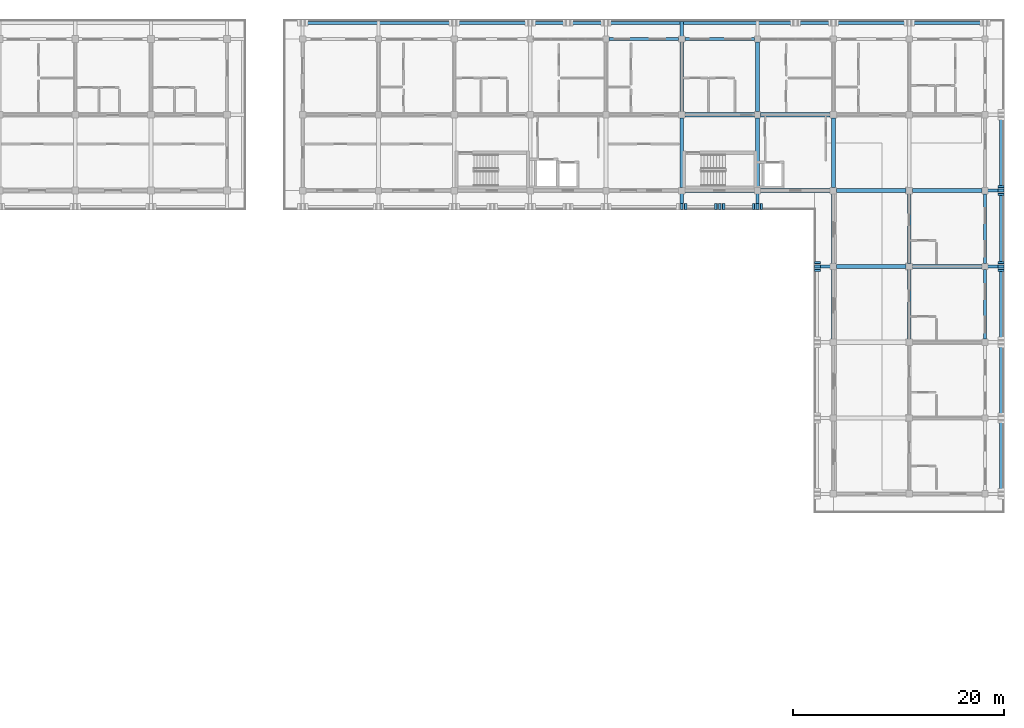
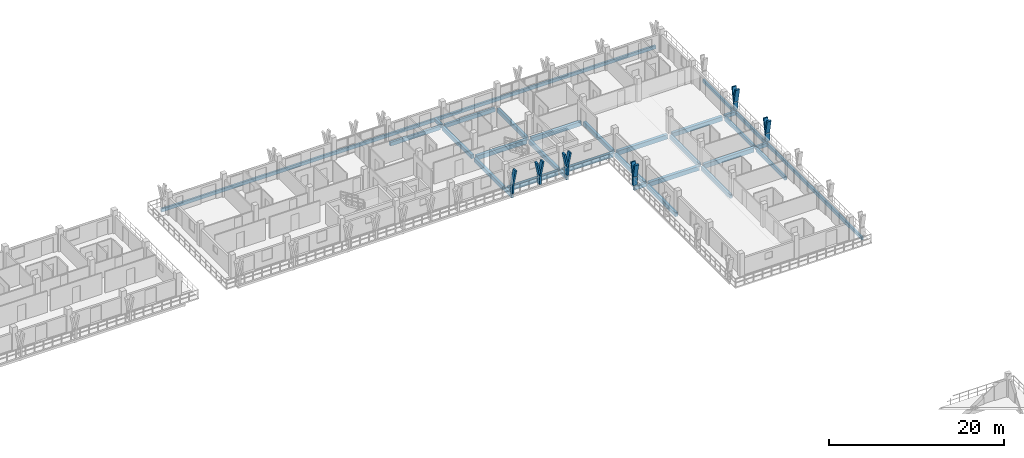
# One storey, part 32 of 78: 29 beams, 17 members.
"""IFC4 building model written with IfcOpenShell, lengths in metres."""

from ifc_helpers import new_model, si_unit, direction, frame, origin, origin_2d, place, context, subcontext, project, spatial, rectangle, extrude, material, material_profile, profile_set, type_object, element, save


model = new_model("IFC4")

# Units and contexts
model_context = context("Model", 3, precision=1e-05, world=origin(), true_north=direction((0.0, 1.0)))
body_context = subcontext(model_context, "Body", "Model", "MODEL_VIEW")
ifc_project = project(units=[si_unit("LENGTHUNIT", "METRE"), si_unit("AREAUNIT", "SQUARE_METRE"), si_unit("VOLUMEUNIT", "CUBIC_METRE"), si_unit("PLANEANGLEUNIT", "RADIAN"), si_unit("MASSUNIT", "GRAM", prefix="KILO")], contexts=[model_context])

# Site, building, storey
site_placement = place(None, origin())
site = spatial("IfcSite", under=ifc_project, at=site_placement, CompositionType="ELEMENT")
building_placement = place(site_placement, origin())
building = spatial("IfcBuilding", under=site, at=building_placement, Name="Suanplinth Sawtooth Commons", CompositionType="ELEMENT")
storey_placement = place(building_placement, frame((0.0, 0.0, 15.39990234375)))
storey = spatial("IfcBuildingStorey", under=building, at=storey_placement, Name="L04", CompositionType="ELEMENT", Elevation=15.39990234375)

# Beams
ifc_material_1 = material(Name="Precast concrete C40/50", Category="concrete")
ifc_material_profile_1 = material_profile(ifc_material_1, rectangle(XDim=0.39990234375, YDim=0.60009765625, at=origin_2d()), Name="PC-GDR 400x600")
ifc_profile_set_1 = profile_set([ifc_material_profile_1], Name="Precast concrete C40/50")
beam_type_1 = type_object("IfcBeamType", Name="B-05", PredefinedType="USERDEFINED", material=ifc_profile_set_1)
for number, where, z_axis, x_axis, name in (
    (1, (158.699951171875, 108.0, -0.52001953125), (1.0, 0.0, 0.0), (0.0, 1.0, 0.0), "BMX-L04-B-22-15"),
    (2, (158.699951171875, 115.199951171875, -0.52001953125), (1.0, 0.0, 0.0), (0.0, 1.0, 0.0), "BMX-L04-B-22-16"),
    (3, (165.89990234375, 108.0, -0.52001953125), (1.0, 0.0, 0.0), (0.0, 1.0, 0.0), "BMX-L04-B-23-15"),
    (4, (165.89990234375, 115.199951171875, -0.52001953125), (1.0, 0.0, 0.0), (0.0, 1.0, 0.0), "BMX-L04-B-23-16"),
):
    element("IfcBeam", number, at=place(storey_placement, frame(where, z_axis=z_axis, x_axis=x_axis)), inside=storey, type_object=beam_type_1, Name=name, ObjectType="GIRDER", PredefinedType="USERDEFINED", context=body_context, shape_type="SweptSolid", body=[
        extrude(rectangle(XDim=0.39990234375, YDim=0.60009765625, at=origin_2d()), origin(), (0.0, 0.0, 1.0), 6.60009765625),
    ])
for number, where, z_axis, x_axis, name in (
    (5, (173.10009765625, 100.800048828125, -0.52001953125), (1.0, 0.0, 0.0), (0.0, 1.0, 0.0), "BMX-L04-B-24-14"),
    (6, (173.10009765625, 108.0, -0.52001953125), (1.0, 0.0, 0.0), (0.0, 1.0, 0.0), "BMX-L04-B-24-15"),
    (7, (180.300048828125, 100.800048828125, -0.52001953125), (1.0, 0.0, 0.0), (0.0, 1.0, 0.0), "BMX-L04-B-25-14"),
    (8, (180.300048828125, 108.0, -0.52001953125), (1.0, 0.0, 0.0), (0.0, 1.0, 0.0), "BMX-L04-B-25-15"),
):
    element("IfcBeam", number, at=place(storey_placement, frame(where, z_axis=z_axis, x_axis=x_axis)), inside=storey, type_object=beam_type_1, Name=name, ObjectType="GIRDER", PredefinedType="USERDEFINED", context=body_context, shape_type="SweptSolid", body=[
        extrude(rectangle(XDim=0.39990234375, YDim=0.60009765625, at=origin_2d()), origin(), (0.0, 0.0, 1.0), 6.599853515625),
    ])
ifc_material_profile_2 = material_profile(ifc_material_1, rectangle(XDim=0.35009765625, YDim=0.550048828125, at=origin_2d()), Name="PC-BM 350x550")
ifc_profile_set_2 = profile_set([ifc_material_profile_2], Name="Precast concrete C40/50")
beam_type_2 = type_object("IfcBeamType", Name="B-06", PredefinedType="BEAM", material=ifc_profile_set_2)
beam_1_placement = place(storey_placement, frame((158.39990234375, 108.300048828125, -0.494873046875), z_axis=(0.0, 1.0, 0.0), x_axis=(-1.0, 0.0, 0.0)))
element("IfcBeam", 9, at=beam_1_placement, inside=storey, type_object=beam_type_2, Name="BMY-L04-B-22-15", PredefinedType="BEAM", context=body_context, shape_type="SweptSolid", body=[
    extrude(rectangle(XDim=0.35009765625, YDim=0.550048828125, at=origin_2d()), origin(), (0.0, 0.0, 1.0), 6.599853515625),
])
beam_2_placement = place(storey_placement, frame((158.39990234375, 115.5, -0.494873046875), z_axis=(0.0, 1.0, 0.0), x_axis=(-1.0, 0.0, 0.0)))
element("IfcBeam", 10, at=beam_2_placement, inside=storey, type_object=beam_type_2, Name="BMY-L04-B-22-16", PredefinedType="BEAM", context=body_context, shape_type="SweptSolid", body=[
    extrude(rectangle(XDim=0.35009765625, YDim=0.550048828125, at=origin_2d()), origin(), (0.0, 0.0, 1.0), 6.60009765625),
])
beam_3_placement = place(storey_placement, frame((165.60009765625, 108.300048828125, -0.494873046875), z_axis=(0.0, 1.0, 0.0), x_axis=(-1.0, 0.0, 0.0)))
element("IfcBeam", 11, at=beam_3_placement, inside=storey, type_object=beam_type_2, Name="BMY-L04-B-23-15", PredefinedType="BEAM", context=body_context, shape_type="SweptSolid", body=[
    extrude(rectangle(XDim=0.35009765625, YDim=0.550048828125, at=origin_2d()), origin(), (0.0, 0.0, 1.0), 6.599853515625),
])
for number, where, z_axis, x_axis, name in (
    (12, (165.60009765625, 115.5, -0.494873046875), (0.0, 1.0, 0.0), (-1.0, 0.0, 0.0), "BMY-L04-B-23-16"),
    (13, (172.800048828125, 93.89990234375, -0.494873046875), (0.0, 1.0, 0.0), (-1.0, 0.0, 0.0), "BMY-L04-B-24-13"),
):
    element("IfcBeam", number, at=place(storey_placement, frame(where, z_axis=z_axis, x_axis=x_axis)), inside=storey, type_object=beam_type_2, Name=name, PredefinedType="BEAM", context=body_context, shape_type="SweptSolid", body=[
        extrude(rectangle(XDim=0.35009765625, YDim=0.550048828125, at=origin_2d()), origin(), (0.0, 0.0, 1.0), 6.60009765625),
    ])
for number, where, z_axis, x_axis, name in (
    (14, (172.800048828125, 101.10009765625, -0.494873046875), (0.0, 1.0, 0.0), (-1.0, 0.0, 0.0), "BMY-L04-B-24-14"),
    (15, (172.800048828125, 108.300048828125, -0.494873046875), (0.0, 1.0, 0.0), (-1.0, 0.0, 0.0), "BMY-L04-B-24-15"),
):
    element("IfcBeam", number, at=place(storey_placement, frame(where, z_axis=z_axis, x_axis=x_axis)), inside=storey, type_object=beam_type_2, Name=name, PredefinedType="BEAM", context=body_context, shape_type="SweptSolid", body=[
        extrude(rectangle(XDim=0.35009765625, YDim=0.550048828125, at=origin_2d()), origin(), (0.0, 0.0, 1.0), 6.599853515625),
    ])
beam_4_placement = place(storey_placement, frame((180.0, 93.89990234375, -0.494873046875), z_axis=(0.0, 1.0, 0.0), x_axis=(-1.0, 0.0, 0.0)))
element("IfcBeam", 16, at=beam_4_placement, inside=storey, type_object=beam_type_2, Name="BMY-L04-B-25-13", PredefinedType="BEAM", context=body_context, shape_type="SweptSolid", body=[
    extrude(rectangle(XDim=0.35009765625, YDim=0.550048828125, at=origin_2d()), origin(), (0.0, 0.0, 1.0), 6.60009765625),
])
beam_5_placement = place(storey_placement, frame((180.0, 101.10009765625, -0.494873046875), z_axis=(0.0, 1.0, 0.0), x_axis=(-1.0, 0.0, 0.0)))
element("IfcBeam", 17, at=beam_5_placement, inside=storey, type_object=beam_type_2, Name="BMY-L04-B-25-14", PredefinedType="BEAM", context=body_context, shape_type="SweptSolid", body=[
    extrude(rectangle(XDim=0.35009765625, YDim=0.550048828125, at=origin_2d()), origin(), (0.0, 0.0, 1.0), 6.599853515625),
])
ifc_material_profile_3 = material_profile(ifc_material_1, rectangle(XDim=0.300048828125, YDim=0.5, at=origin_2d()), Name="PC-BM 300x500")
ifc_profile_set_3 = profile_set([ifc_material_profile_3], Name="Precast concrete C40/50")
beam_type_3 = type_object("IfcBeamType", Name="B-07", PredefinedType="BEAM", material=ifc_profile_set_3)
for number, where, z_axis, x_axis, name in (
    (18, (158.39990234375, 122.39990234375, -0.429931640625), (0.0, 1.0, 0.0), (-1.0, 0.0, 0.0), "Balcony Outrigger L04-B-N-22"),
    (19, (187.199951171875, 100.800048828125, -0.429931640625), (1.0, 0.0, 0.0), (0.0, 1.0, 0.0), "Balcony Outrigger L04-B-E-14"),
    (20, (187.199951171875, 108.0, -0.429931640625), (1.0, 0.0, 0.0), (0.0, 1.0, 0.0), "Balcony Outrigger L04-B-E-15"),
):
    element("IfcBeam", number, at=place(storey_placement, frame(where, z_axis=z_axis, x_axis=x_axis)), inside=storey, type_object=beam_type_3, Name=name, PredefinedType="BEAM", context=body_context, shape_type="SweptSolid", body=[
        extrude(rectangle(XDim=0.300048828125, YDim=0.5, at=origin_2d()), origin(), (0.0, 0.0, 1.0), 1.64013671875),
    ])
for number, where, z_axis, x_axis, name in (
    (21, (158.39990234375, 108.0, -0.4248046875), (0.0, -1.0, 0.0), (1.0, 0.0, 0.0), "Balcony Outrigger L04-B-SC-22"),
    (22, (165.60009765625, 108.0, -0.4248046875), (0.0, -1.0, 0.0), (1.0, 0.0, 0.0), "Balcony Outrigger L04-B-SC-23"),
):
    element("IfcBeam", number, at=place(storey_placement, frame(where, z_axis=z_axis, x_axis=x_axis)), inside=storey, type_object=beam_type_3, Name=name, PredefinedType="BEAM", context=body_context, shape_type="SweptSolid", body=[
        extrude(rectangle(XDim=0.300048828125, YDim=0.5, at=origin_2d()), origin(), (0.0, 0.0, 1.0), 1.639892578125),
    ])
beam_6_placement = place(storey_placement, frame((172.800048828125, 100.800048828125, -0.4248046875), z_axis=(-1.0, 0.0, 0.0), x_axis=(0.0, -1.0, 0.0)))
element("IfcBeam", 23, at=beam_6_placement, inside=storey, type_object=beam_type_3, Name="Balcony Outrigger L04-B-WC-14", PredefinedType="BEAM", context=body_context, shape_type="SweptSolid", body=[
    extrude(rectangle(XDim=0.300048828125, YDim=0.5, at=origin_2d()), origin(), (0.0, 0.0, 1.0), 1.64013671875),
])
ifc_material_profile_4 = material_profile(ifc_material_1, rectangle(XDim=0.280029296875, YDim=0.52001953125, at=origin_2d()), Name="PC-SP 280x520")
ifc_profile_set_4 = profile_set([ifc_material_profile_4], Name="Precast concrete C40/50")
beam_type_4 = type_object("IfcBeamType", Name="B-08", PredefinedType="SPANDREL", material=ifc_profile_set_4)
for number, where, z_axis, x_axis, name in (
    (24, (151.5, 122.39990234375, -0.47998046875), (1.0, 0.0, 0.0), (0.0, 1.0, 0.0), "BMX-L04-B-21-17"),
    (25, (158.699951171875, 122.39990234375, -0.47998046875), (1.0, 0.0, 0.0), (0.0, 1.0, 0.0), "BMX-L04-B-22-17"),
    (26, (187.199951171875, 93.89990234375, -0.47998046875), (0.0, 1.0, 0.0), (-1.0, 0.0, 0.0), "BMY-L04-B-26-13"),
):
    element("IfcBeam", number, at=place(storey_placement, frame(where, z_axis=z_axis, x_axis=x_axis)), inside=storey, type_object=beam_type_4, Name=name, PredefinedType="SPANDREL", context=body_context, shape_type="SweptSolid", body=[
        extrude(rectangle(XDim=0.280029296875, YDim=0.52001953125, at=origin_2d()), origin(), (0.0, 0.0, 1.0), 6.60009765625),
    ])
beam_7_placement = place(storey_placement, frame((187.199951171875, 101.10009765625, -0.47998046875), z_axis=(0.0, 1.0, 0.0), x_axis=(-1.0, 0.0, 0.0)))
element("IfcBeam", 27, at=beam_7_placement, inside=storey, type_object=beam_type_4, Name="BMY-L04-B-26-14", PredefinedType="SPANDREL", context=body_context, shape_type="SweptSolid", body=[
    extrude(rectangle(XDim=0.280029296875, YDim=0.52001953125, at=origin_2d()), origin(), (0.0, 0.0, 1.0), 6.599853515625),
])
ifc_material_profile_5 = material_profile(ifc_material_1, rectangle(XDim=0.25, YDim=0.449951171875, at=origin_2d()), Name="PC-SP 250x450")
ifc_profile_set_5 = profile_set([ifc_material_profile_5], Name="Precast concrete C40/50")
beam_type_5 = type_object("IfcBeamType", Name="B-09", PredefinedType="SPANDREL", material=ifc_profile_set_5)
beam_8_placement = place(storey_placement, frame((122.25, 123.919921875, -0.40478515625), z_axis=(1.0, 0.0, 0.0), x_axis=(0.0, 1.0, 0.0)))
element("IfcBeam", 28, at=beam_8_placement, inside=storey, type_object=beam_type_5, Name="Balcony Edge Fascia L04-B-N", PredefinedType="SPANDREL", context=body_context, shape_type="SweptSolid", body=[
    extrude(rectangle(XDim=0.25, YDim=0.449951171875, at=origin_2d()), origin(), (0.0, 0.0, 1.0), 65.10009765625),
])
beam_9_placement = place(storey_placement, frame((188.719970703125, 79.050048828125, -0.40478515625), z_axis=(0.0, 1.0, 0.0), x_axis=(-1.0, 0.0, 0.0)))
element("IfcBeam", 29, at=beam_9_placement, inside=storey, type_object=beam_type_5, Name="Balcony Edge Fascia L04-B-E", PredefinedType="SPANDREL", context=body_context, shape_type="SweptSolid", body=[
    extrude(rectangle(XDim=0.25, YDim=0.449951171875, at=origin_2d()), origin(), (0.0, 0.0, 1.0), 36.300048828125),
])

# Members
ifc_material_2 = material(Name="Pigmented precast concrete C40/50", Category="concrete")
ifc_material_profile_6 = material_profile(ifc_material_2, rectangle(XDim=0.260009765625, YDim=0.550048828125, at=origin_2d()), Name="PC-FIN 260x550")
ifc_profile_set_6 = profile_set([ifc_material_profile_6], Name="Pigmented precast concrete C40/50")
member_type_1 = type_object("IfcMemberType", Name="M-09", PredefinedType="USERDEFINED", material=ifc_profile_set_6)
for number, where, z_axis, x_axis, name in (
    (30, (188.719970703125, 100.800048828125, 0.0), (0.0, 0.0, 1.0), (0.0, 1.0, 0.0), "Y-Blade Stem L04-B-E-13"),
    (31, (188.719970703125, 108.0, 0.0), (0.0, 0.0, 1.0), (0.0, 1.0, 0.0), "Y-Blade Stem L04-B-E-14"),
    (32, (158.39990234375, 106.47998046875, 0.0), (0.0, 0.0, 1.0), (1.0, 0.0, 0.0), "Y-Blade Stem L04-B-SC-23"),
    (33, (162.0, 106.47998046875, 0.0), (0.0, 0.0, 1.0), (1.0, 0.0, 0.0), "Y-Blade Stem L04-B-SC-24"),
    (34, (165.60009765625, 106.47998046875, 0.0), (0.0, 0.0, 1.0), (1.0, 0.0, 0.0), "Y-Blade Stem L04-B-SC-25"),
    (35, (171.280029296875, 100.800048828125, 0.0), (0.0, 0.0, 1.0), (0.0, 1.0, 0.0), "Y-Blade Stem L04-B-WC-29"),
):
    element("IfcMember", number, at=place(storey_placement, frame(where, z_axis=z_axis, x_axis=x_axis)), inside=storey, type_object=member_type_1, Name=name, ObjectType="SHADING FIN", PredefinedType="USERDEFINED", context=body_context, shape_type="SweptSolid", body=[
        extrude(rectangle(XDim=0.260009765625, YDim=0.550048828125, at=origin_2d()), origin(), (0.0, 0.0, 1.0), 1.170166015625),
    ])
ifc_material_profile_7 = material_profile(ifc_material_2, rectangle(XDim=0.219970703125, YDim=0.550048828125, at=origin_2d()), Name="PC-FIN 220x550")
ifc_profile_set_7 = profile_set([ifc_material_profile_7], Name="Pigmented precast concrete C40/50")
member_type_2 = type_object("IfcMemberType", Name="M-10", PredefinedType="USERDEFINED", material=ifc_profile_set_7)
member_1_placement = place(storey_placement, frame((188.719970703125, 100.800048828125, 1.130126953125), z_axis=(0.0, -0.196431120402, 0.980517626021), x_axis=(0.0, 0.980517626021, 0.196431120402)))
element("IfcMember", 36, at=member_1_placement, inside=storey, type_object=member_type_2, Name="Y-Blade Arm L L04-B-E-13", ObjectType="SHADING FIN", PredefinedType="USERDEFINED", context=body_context, shape_type="SweptSolid", body=[
    extrude(rectangle(XDim=0.219970703125, YDim=0.550048828125, at=origin_2d()), origin(), (0.0, 0.0, 1.0), 1.937744140625),
])
member_2_placement = place(storey_placement, frame((188.719970703125, 100.800048828125, 1.130126953125), z_axis=(0.0, 0.196309979414, 0.980541886909), x_axis=(0.0, -0.980541886909, 0.196309979414)))
element("IfcMember", 37, at=member_2_placement, inside=storey, type_object=member_type_2, Name="Y-Blade Arm R L04-B-E-13", ObjectType="SHADING FIN", PredefinedType="USERDEFINED", context=body_context, shape_type="SweptSolid", body=[
    extrude(rectangle(XDim=0.219970703125, YDim=0.550048828125, at=origin_2d()), origin(), (0.0, 0.0, 1.0), 1.9375),
])
for number, where, z_axis, x_axis, name in (
    (38, (188.719970703125, 108.0, 1.130126953125), (0.0, -0.196431120402, 0.980517626021), (0.0, 0.980517626021, 0.196431120402), "Y-Blade Arm L L04-B-E-14"),
    (39, (188.719970703125, 108.0, 1.130126953125), (0.0, 0.196431120402, 0.980517626021), (0.0, -0.980517626021, 0.196431120402), "Y-Blade Arm R L04-B-E-14"),
    (40, (158.39990234375, 106.47998046875, 1.130126953125), (0.196431120402, 0.0, 0.980517626021), (-0.980517626021, 0.0, 0.196431120402), "Y-Blade Arm R L04-B-SC-23"),
    (41, (162.0, 106.47998046875, 1.130126953125), (-0.196431120402, 0.0, 0.980517626021), (0.980517626021, 0.0, 0.196431120402), "Y-Blade Arm L L04-B-SC-24"),
    (42, (162.0, 106.47998046875, 1.130126953125), (0.196431120402, 0.0, 0.980517626021), (-0.980517626021, 0.0, 0.196431120402), "Y-Blade Arm R L04-B-SC-24"),
    (43, (165.60009765625, 106.47998046875, 1.130126953125), (-0.196431120402, 0.0, 0.980517626021), (0.980517626021, 0.0, 0.196431120402), "Y-Blade Arm L L04-B-SC-25"),
):
    element("IfcMember", number, at=place(storey_placement, frame(where, z_axis=z_axis, x_axis=x_axis)), inside=storey, type_object=member_type_2, Name=name, ObjectType="SHADING FIN", PredefinedType="USERDEFINED", context=body_context, shape_type="SweptSolid", body=[
        extrude(rectangle(XDim=0.219970703125, YDim=0.550048828125, at=origin_2d()), origin(), (0.0, 0.0, 1.0), 1.937744140625),
    ])
member_3_placement = place(storey_placement, frame((165.60009765625, 106.47998046875, 1.130126953125), z_axis=(0.196309979414, 0.0, 0.980541886909), x_axis=(-0.980541886909, 0.0, 0.196309979414)))
element("IfcMember", 44, at=member_3_placement, inside=storey, type_object=member_type_2, Name="Y-Blade Arm R L04-B-SC-25", ObjectType="SHADING FIN", PredefinedType="USERDEFINED", context=body_context, shape_type="SweptSolid", body=[
    extrude(rectangle(XDim=0.219970703125, YDim=0.550048828125, at=origin_2d()), origin(), (0.0, 0.0, 1.0), 1.9375),
])
member_4_placement = place(storey_placement, frame((171.280029296875, 100.800048828125, 1.130126953125), z_axis=(0.0, -0.196431120402, 0.980517626021), x_axis=(0.0, 0.980517626021, 0.196431120402)))
element("IfcMember", 45, at=member_4_placement, inside=storey, type_object=member_type_2, Name="Y-Blade Arm L L04-B-WC-29", ObjectType="SHADING FIN", PredefinedType="USERDEFINED", context=body_context, shape_type="SweptSolid", body=[
    extrude(rectangle(XDim=0.219970703125, YDim=0.550048828125, at=origin_2d()), origin(), (0.0, 0.0, 1.0), 1.937744140625),
])
member_5_placement = place(storey_placement, frame((171.280029296875, 100.800048828125, 1.130126953125), z_axis=(0.0, 0.196309979414, 0.980541886909), x_axis=(0.0, -0.980541886909, 0.196309979414)))
element("IfcMember", 46, at=member_5_placement, inside=storey, type_object=member_type_2, Name="Y-Blade Arm R L04-B-WC-29", ObjectType="SHADING FIN", PredefinedType="USERDEFINED", context=body_context, shape_type="SweptSolid", body=[
    extrude(rectangle(XDim=0.219970703125, YDim=0.550048828125, at=origin_2d()), origin(), (0.0, 0.0, 1.0), 1.9375),
])

save(model, "model.ifc")
